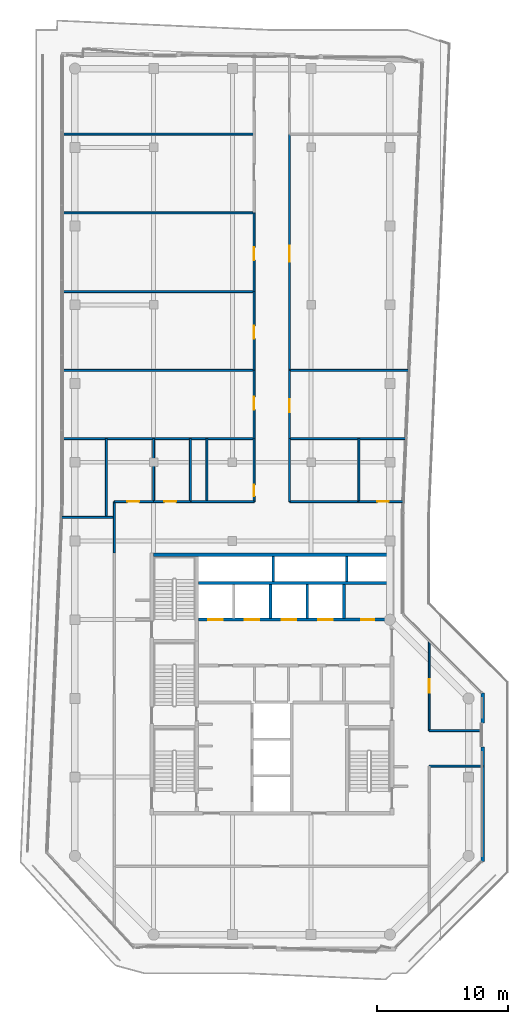
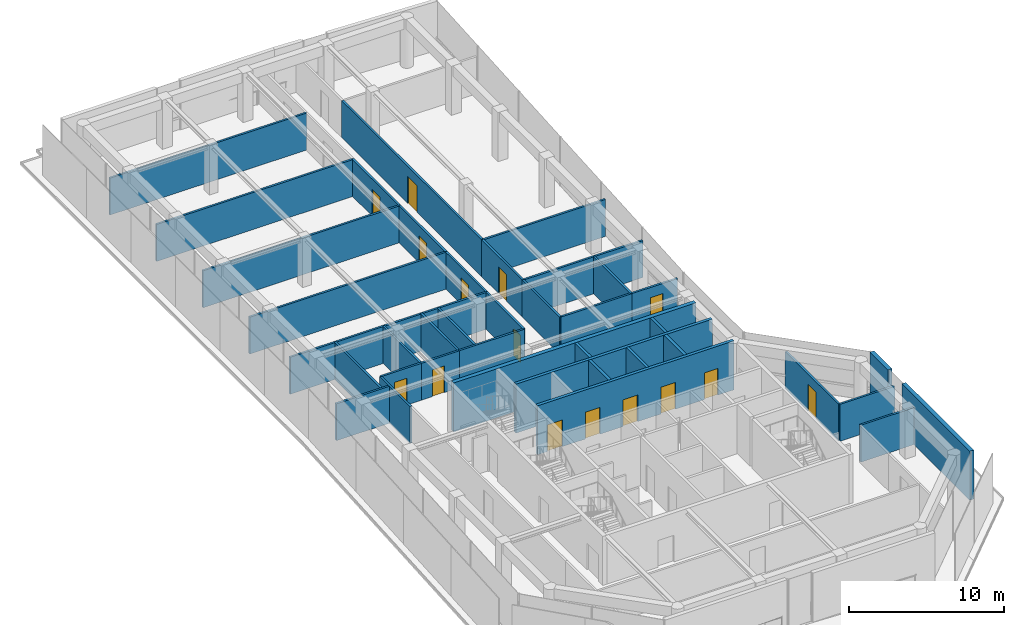
# One storey, part 16 of 19: 39 walls, 15 doors, 15 openings.
"""IFC4 building model written with IfcOpenShell, lengths in metres."""

from ifc_helpers import new_model, si_unit, direction, frame, frame_2d, origin, place, context, subcontext, project, spatial, rectangle, extrude, material, layer, layer_set, type_object, element, fill, save


model = new_model("IFC4")

# Units and contexts
model_context = context("Model", 3, precision=1e-05, world=origin(), true_north=direction((0.0, 1.0)))
body_context = subcontext(model_context, "Body", "Model", "MODEL_VIEW")
ifc_project = project(units=[si_unit("LENGTHUNIT", "METRE"), si_unit("AREAUNIT", "SQUARE_METRE"), si_unit("VOLUMEUNIT", "CUBIC_METRE"), si_unit("PLANEANGLEUNIT", "RADIAN"), si_unit("MASSUNIT", "GRAM", prefix="KILO")], contexts=[model_context])

# Site, building, storey
site_placement = place(None, origin())
site = spatial("IfcSite", under=ifc_project, at=site_placement, CompositionType="ELEMENT")
building_placement = place(site_placement, origin())
building = spatial("IfcBuilding", under=site, at=building_placement, Name="Welwitschia Terrace Campus", CompositionType="ELEMENT")
storey_placement = place(building_placement, frame((0.0, 0.0, 276.800048828125)))
storey = spatial("IfcBuildingStorey", under=building, at=storey_placement, Name="L61", CompositionType="ELEMENT", Elevation=276.800048828125)

# Wall, openings, doors
ifc_material_1 = material(Name="Concrete C32/40", Category="concrete")
ifc_layer_1 = layer(ifc_material_1, 0.22509765625)
ifc_layer_set_1 = layer_set([ifc_layer_1], Name="Concrete C32/40")
wall_type_1 = type_object("IfcWallType", Name="Core partition 225 Concrete C32/40", PredefinedType="PARTITIONING", material=ifc_layer_set_1)
wall_1_placement = place(storey_placement, frame((24.0, 20.0, 0.0), z_axis=(0.0, 0.0, 1.0), x_axis=(-1.0, 0.0, 0.0)))
wall_1 = element("IfcWall", 1, at=wall_1_placement, inside=storey, type_object=wall_type_1, Name="Shaft wall", PredefinedType="PARTITIONING", context=body_context, shape_type="SweptSolid", body=[
    extrude(rectangle(XDim=14.60009765625, YDim=0.22509765625, at=frame_2d((7.300048828125, 0.0))), origin(), (0.0, 0.0, 1.0), 3.849853515625),
])
opening_1_placement = place(wall_1_placement, frame((12.75, 0.0, 0.0)))
opening_1 = element("IfcOpeningElement", 2, at=opening_1_placement, cuts=wall_1, Name="Opening LD", PredefinedType="OPENING", context=body_context, shape_type="SweptSolid", body=[
    extrude(rectangle(XDim=1.10009765625, YDim=2.10009765625, at=frame_2d((0.550048828125, 1.050048828125))), frame((0.0, 0.12255859375, 0.0), z_axis=(0.0, -1.0, 0.0), x_axis=(1.0, 0.0, 0.0)), (0.0, 0.0, 1.0), 0.2451171875),
])
opening_2_placement = place(wall_1_placement, frame((9.949951171875, 0.0, 0.0)))
opening_2 = element("IfcOpeningElement", 3, at=opening_2_placement, cuts=wall_1, Name="Opening LD", PredefinedType="OPENING", context=body_context, shape_type="SweptSolid", body=[
    extrude(rectangle(XDim=1.10009765625, YDim=2.10009765625, at=frame_2d((0.550048828125, 1.050048828125))), frame((0.0, 0.12255859375, 0.0), z_axis=(0.0, -1.0, 0.0), x_axis=(1.0, 0.0, 0.0)), (0.0, 0.0, 1.0), 0.2451171875),
])
opening_3_placement = place(wall_1_placement, frame((7.14990234375, 0.0, 0.0)))
opening_3 = element("IfcOpeningElement", 4, at=opening_3_placement, cuts=wall_1, Name="Opening LD", PredefinedType="OPENING", context=body_context, shape_type="SweptSolid", body=[
    extrude(rectangle(XDim=1.10009765625, YDim=2.10009765625, at=frame_2d((0.550048828125, 1.050048828125))), frame((0.0, 0.12255859375, 0.0), z_axis=(0.0, -1.0, 0.0), x_axis=(1.0, 0.0, 0.0)), (0.0, 0.0, 1.0), 0.2451171875),
])
opening_4_placement = place(wall_1_placement, frame((4.35009765625, 0.0, 0.0)))
opening_4 = element("IfcOpeningElement", 5, at=opening_4_placement, cuts=wall_1, Name="Opening LD", PredefinedType="OPENING", context=body_context, shape_type="SweptSolid", body=[
    extrude(rectangle(XDim=1.10009765625, YDim=2.10009765625, at=frame_2d((0.550048828125, 1.050048828125))), frame((0.0, 0.12255859375, 0.0), z_axis=(0.0, -1.0, 0.0), x_axis=(1.0, 0.0, 0.0)), (0.0, 0.0, 1.0), 0.2451171875),
])
opening_5_placement = place(wall_1_placement, frame((1.199951171875, 0.0, 0.0)))
opening_5 = element("IfcOpeningElement", 6, at=opening_5_placement, cuts=wall_1, Name="Opening DR10", PredefinedType="OPENING", context=body_context, shape_type="SweptSolid", body=[
    extrude(rectangle(XDim=1.0, YDim=2.10009765625, at=frame_2d((0.5, 1.050048828125))), frame((0.0, 0.12255859375, 0.0), z_axis=(0.0, -1.0, 0.0), x_axis=(1.0, 0.0, 0.0)), (0.0, 0.0, 1.0), 0.2451171875),
])
ifc_material_2 = material(Name="Steel S275", Category="steel")
door_type_1 = type_object("IfcDoorType", Name="Core door DR10", OperationType="SINGLE_SWING_LEFT", PredefinedType="DOOR", material=ifc_material_2)
door_1_placement = place(opening_5_placement, origin())
door_1 = element("IfcDoor", 7, at=door_1_placement, inside=storey, type_object=door_type_1, Name="Door EH-D", OperationType="SINGLE_SWING_LEFT", OverallHeight=2.10009765625, OverallWidth=1.0, PredefinedType="DOOR", context=body_context, shape_type="SweptSolid", body=[
    extrude(rectangle(XDim=1.0, YDim=2.10009765625, at=frame_2d((0.5, 1.050048828125))), frame((0.0, 0.02490234375, 0.0), z_axis=(0.0, -1.0, 0.0), x_axis=(1.0, 0.0, 0.0)), (0.0, 0.0, 1.0), 0.050048828125),
])
fill(opening_5, door_1)
ifc_material_3 = material(Name="Stainless steel 304", Category="steel")
door_type_2 = type_object("IfcDoorType", Name="Lift landing door", OperationType="DOUBLE_DOOR_SLIDING", PredefinedType="DOOR", material=ifc_material_3)
door_2_placement = place(opening_1_placement, origin())
door_2 = element("IfcDoor", 8, at=door_2_placement, inside=storey, type_object=door_type_2, Name="Landing door HR1", OperationType="DOUBLE_DOOR_SLIDING", OverallHeight=2.10009765625, OverallWidth=1.10009765625, PredefinedType="DOOR", context=body_context, shape_type="SweptSolid", body=[
    extrude(rectangle(XDim=1.10009765625, YDim=2.10009765625, at=frame_2d((0.550048828125, 1.050048828125))), frame((0.0, 0.02490234375, 0.0), z_axis=(0.0, -1.0, 0.0), x_axis=(1.0, 0.0, 0.0)), (0.0, 0.0, 1.0), 0.050048828125),
])
fill(opening_1, door_2)
door_3_placement = place(opening_2_placement, origin())
door_3 = element("IfcDoor", 9, at=door_3_placement, inside=storey, type_object=door_type_2, Name="Landing door HR2", OperationType="DOUBLE_DOOR_SLIDING", OverallHeight=2.10009765625, OverallWidth=1.10009765625, PredefinedType="DOOR", context=body_context, shape_type="SweptSolid", body=[
    extrude(rectangle(XDim=1.10009765625, YDim=2.10009765625, at=frame_2d((0.550048828125, 1.050048828125))), frame((0.0, 0.02490234375, 0.0), z_axis=(0.0, -1.0, 0.0), x_axis=(1.0, 0.0, 0.0)), (0.0, 0.0, 1.0), 0.050048828125),
])
fill(opening_2, door_3)
door_4_placement = place(opening_3_placement, origin())
door_4 = element("IfcDoor", 10, at=door_4_placement, inside=storey, type_object=door_type_2, Name="Landing door HR3", OperationType="DOUBLE_DOOR_SLIDING", OverallHeight=2.10009765625, OverallWidth=1.10009765625, PredefinedType="DOOR", context=body_context, shape_type="SweptSolid", body=[
    extrude(rectangle(XDim=1.10009765625, YDim=2.10009765625, at=frame_2d((0.550048828125, 1.050048828125))), frame((0.0, 0.02490234375, 0.0), z_axis=(0.0, -1.0, 0.0), x_axis=(1.0, 0.0, 0.0)), (0.0, 0.0, 1.0), 0.050048828125),
])
fill(opening_3, door_4)
door_5_placement = place(opening_4_placement, origin())
door_5 = element("IfcDoor", 11, at=door_5_placement, inside=storey, type_object=door_type_2, Name="Landing door HR4", OperationType="DOUBLE_DOOR_SLIDING", OverallHeight=2.10009765625, OverallWidth=1.10009765625, PredefinedType="DOOR", context=body_context, shape_type="SweptSolid", body=[
    extrude(rectangle(XDim=1.10009765625, YDim=2.10009765625, at=frame_2d((0.550048828125, 1.050048828125))), frame((0.0, 0.02490234375, 0.0), z_axis=(0.0, -1.0, 0.0), x_axis=(1.0, 0.0, 0.0)), (0.0, 0.0, 1.0), 0.050048828125),
])
fill(opening_4, door_5)

# Walls
wall_2_placement = place(storey_placement, frame((9.39990234375, 22.800048828125, 0.0), z_axis=(0.0, 0.0, 1.0), x_axis=(1.0, 0.0, 0.0)))
element("IfcWall", 12, at=wall_2_placement, inside=storey, type_object=wall_type_1, Name="Shaft wall", PredefinedType="PARTITIONING", context=body_context, shape_type="SweptSolid", body=[
    extrude(rectangle(XDim=14.60009765625, YDim=0.22509765625, at=frame_2d((7.300048828125, 0.0))), origin(), (0.0, 0.0, 1.0), 3.849853515625),
])
wall_3_placement = place(storey_placement, frame((20.5, 20.10009765625, 0.0), z_axis=(0.0, 0.0, 1.0), x_axis=(0.0, 1.0, 0.0)))
element("IfcWall", 13, at=wall_3_placement, inside=storey, type_object=wall_type_1, Name="Shaft wall", PredefinedType="PARTITIONING", context=body_context, shape_type="SweptSolid", body=[
    extrude(rectangle(XDim=2.599853515625, YDim=0.22509765625, at=frame_2d((1.2998046875, 0.0))), origin(), (0.0, 0.0, 1.0), 3.849853515625),
])
ifc_material_4 = material(Name="Concrete C50/60", Category="concrete")
ifc_layer_2 = layer(ifc_material_4, 0.199951171875)
ifc_layer_set_2 = layer_set([ifc_layer_2], Name="Concrete C50/60")
wall_type_2 = type_object("IfcWallType", Name="Core wall 200 Concrete C50/60", PredefinedType="SHEAR", material=ifc_layer_set_2)
for number, where, z_axis, x_axis, name in (
    (14, (15.10009765625, 22.89990234375, 0.0), (0.0, 0.0, 1.0), (0.0, 1.0, 0.0), "Core wall"),
    (15, (20.699951171875, 22.89990234375, 0.0), (0.0, 0.0, 1.0), (0.0, 1.0, 0.0), "Core wall"),
):
    element("IfcWall", number, at=place(storey_placement, frame(where, z_axis=z_axis, x_axis=x_axis)), inside=storey, type_object=wall_type_2, Name=name, PredefinedType="SHEAR", context=body_context, shape_type="SweptSolid", body=[
        extrude(rectangle(XDim=1.900146484375, YDim=0.199951171875, at=frame_2d((0.9501953125, 0.0))), origin(), (0.0, 0.0, 1.0), 3.849853515625),
    ])
ifc_material_5 = material(Name="Concrete C50/60", Category="concrete")
ifc_layer_3 = layer(ifc_material_5, 0.300048828125)
ifc_layer_set_3 = layer_set([ifc_layer_3], Name="Concrete C50/60")
wall_type_3 = type_object("IfcWallType", Name="Core wall 300 Concrete C50/60", PredefinedType="SHEAR", material=ifc_layer_set_3)
wall_4_placement = place(storey_placement, frame((6.0, 24.949951171875, 0.0), z_axis=(0.0, 0.0, 1.0), x_axis=(1.0, 0.0, 0.0)))
element("IfcWall", 16, at=wall_4_placement, inside=storey, type_object=wall_type_3, Name="Core outer wall", PredefinedType="SHEAR", context=body_context, shape_type="SweptSolid", body=[
    extrude(rectangle(XDim=18.0, YDim=0.300048828125, at=frame_2d((9.0, 0.0))), origin(), (0.0, 0.0, 1.0), 3.849853515625),
])
ifc_material_6 = material(Name="Gypsum board on steel studs", Category="steel")
ifc_layer_4 = layer(ifc_material_6, 0.14990234375)
ifc_layer_set_4 = layer_set([ifc_layer_4], Name="Gypsum board on steel studs")
wall_type_4 = type_object("IfcWallType", Name="Corridor partition 150 EI 30", PredefinedType="PARTITIONING", material=ifc_layer_set_4)
wall_5_placement = place(storey_placement, frame((-1.02001953125, 27.800048828125, 0.0), z_axis=(0.0, 0.0, 1.0), x_axis=(1.0, 0.0, 0.0)))
element("IfcWall", 17, at=wall_5_placement, inside=storey, type_object=wall_type_4, Name="Partition", PredefinedType="PARTITIONING", context=body_context, shape_type="SweptSolid", body=[
    extrude(rectangle(XDim=4.02001953125, YDim=0.14990234375, at=frame_2d((2.010009765625, 0.0))), origin(), (0.0, 0.0, 1.0), 2.89990234375),
])
for number, where, z_axis, x_axis, name in (
    (18, (-0.97998046875, 33.800048828125, 0.0), (0.0, 0.0, 1.0), (1.0, 0.0, 0.0), "Partition"),
    (19, (-0.97998046875, 39.0, 0.0), (0.0, 0.0, 1.0), (1.0, 0.0, 0.0), "Partition"),
    (20, (-0.97998046875, 45.0, 0.0), (0.0, 0.0, 1.0), (1.0, 0.0, 0.0), "Partition"),
    (21, (-0.97998046875, 51.0, 0.0), (0.0, 0.0, 1.0), (1.0, 0.0, 0.0), "Partition"),
    (22, (-0.97998046875, 57.0, 0.0), (0.0, 0.0, 1.0), (1.0, 0.0, 0.0), "Partition"),
):
    element("IfcWall", number, at=place(storey_placement, frame(where, z_axis=z_axis, x_axis=x_axis)), inside=storey, type_object=wall_type_4, Name=name, PredefinedType="PARTITIONING", context=body_context, shape_type="SweptSolid", body=[
        extrude(rectangle(XDim=14.6298828125, YDim=0.14990234375, at=frame_2d((7.31494140625, 0.0))), origin(), (0.0, 0.0, 1.0), 2.89990234375),
    ])
wall_6_placement = place(storey_placement, frame((2.39990234375, 27.800048828125, 0.0), z_axis=(0.0, 0.0, 1.0), x_axis=(0.0, 1.0, 0.0)))
element("IfcWall", 23, at=wall_6_placement, inside=storey, type_object=wall_type_4, Name="Partition", PredefinedType="PARTITIONING", context=body_context, shape_type="SweptSolid", body=[
    extrude(rectangle(XDim=6.0, YDim=0.14990234375, at=frame_2d((3.0, 0.0))), origin(), (0.0, 0.0, 1.0), 2.89990234375),
])
wall_7_placement = place(storey_placement, frame((3.0, 25.10009765625, 0.0), z_axis=(0.0, 0.0, 1.0), x_axis=(0.0, 1.0, 0.0)))
element("IfcWall", 24, at=wall_7_placement, inside=storey, type_object=wall_type_4, Name="Partition", PredefinedType="PARTITIONING", context=body_context, shape_type="SweptSolid", body=[
    extrude(rectangle(XDim=3.89990234375, YDim=0.14990234375, at=frame_2d((1.949951171875, 0.0))), origin(), (0.0, 0.0, 1.0), 2.89990234375),
])

# Wall, opening, door
wall_8_placement = place(storey_placement, frame((3.0, 29.0, 0.0), z_axis=(0.0, 0.0, 1.0), x_axis=(1.0, 0.0, 0.0)))
wall_8 = element("IfcWall", 25, at=wall_8_placement, inside=storey, type_object=wall_type_4, Name="Partition", PredefinedType="PARTITIONING", context=body_context, shape_type="SweptSolid", body=[
    extrude(rectangle(XDim=3.0, YDim=0.14990234375, at=frame_2d((1.5, 0.0))), origin(), (0.0, 0.0, 1.0), 2.89990234375),
])
opening_6_placement = place(wall_8_placement, frame((1.0, 0.0, 0.0)))
opening_6 = element("IfcOpeningElement", 26, at=opening_6_placement, cuts=wall_8, Name="Opening DI09", PredefinedType="OPENING", context=body_context, shape_type="SweptSolid", body=[
    extrude(rectangle(XDim=0.89990234375, YDim=2.10009765625, at=frame_2d((0.449951171875, 1.050048828125))), frame((0.0, 0.0849609375, 0.0), z_axis=(0.0, -1.0, 0.0), x_axis=(1.0, 0.0, 0.0)), (0.0, 0.0, 1.0), 0.169921875),
])
ifc_material_7 = material(Name="Timber veneered door", Category="wood")
door_type_3 = type_object("IfcDoorType", Name="Interior door DI09", OperationType="NOTDEFINED", PredefinedType="DOOR", material=ifc_material_7)
door_6_placement = place(opening_6_placement, origin())
door_6 = element("IfcDoor", 27, at=door_6_placement, inside=storey, type_object=door_type_3, Name="Door L61 1089", OperationType="SINGLE_SWING_RIGHT", OverallHeight=2.10009765625, OverallWidth=0.89990234375, PredefinedType="DOOR", context=body_context, shape_type="SweptSolid", body=[
    extrude(rectangle(XDim=0.89990234375, YDim=2.10009765625, at=frame_2d((0.449951171875, 1.050048828125))), frame((0.0, 0.02490234375, 0.0), z_axis=(0.0, -1.0, 0.0), x_axis=(1.0, 0.0, 0.0)), (0.0, 0.0, 1.0), 0.050048828125),
])
fill(opening_6, door_6)

# Wall
wall_9_placement = place(storey_placement, frame((6.0, 29.0, 0.0), z_axis=(0.0, 0.0, 1.0), x_axis=(0.0, 1.0, 0.0)))
element("IfcWall", 28, at=wall_9_placement, inside=storey, type_object=wall_type_4, Name="Partition", PredefinedType="PARTITIONING", context=body_context, shape_type="SweptSolid", body=[
    extrude(rectangle(XDim=4.800048828125, YDim=0.14990234375, at=frame_2d((2.39990234375, 0.0))), origin(), (0.0, 0.0, 1.0), 2.89990234375),
])

# Wall, opening, door
wall_10_placement = place(storey_placement, frame((6.0, 29.0, 0.0), z_axis=(0.0, 0.0, 1.0), x_axis=(1.0, 0.0, 0.0)))
wall_10 = element("IfcWall", 29, at=wall_10_placement, inside=storey, type_object=wall_type_4, Name="Partition", PredefinedType="PARTITIONING", context=body_context, shape_type="SweptSolid", body=[
    extrude(rectangle(XDim=2.800048828125, YDim=0.14990234375, at=frame_2d((1.39990234375, 0.0))), origin(), (0.0, 0.0, 1.0), 2.89990234375),
])
opening_7_placement = place(wall_10_placement, frame((0.800048828125, 0.0, 0.0)))
opening_7 = element("IfcOpeningElement", 30, at=opening_7_placement, cuts=wall_10, Name="Opening DI09", PredefinedType="OPENING", context=body_context, shape_type="SweptSolid", body=[
    extrude(rectangle(XDim=0.89990234375, YDim=2.10009765625, at=frame_2d((0.449951171875, 1.050048828125))), frame((0.0, 0.0849609375, 0.0), z_axis=(0.0, -1.0, 0.0), x_axis=(1.0, 0.0, 0.0)), (0.0, 0.0, 1.0), 0.169921875),
])
door_7_placement = place(opening_7_placement, origin())
door_7 = element("IfcDoor", 31, at=door_7_placement, inside=storey, type_object=door_type_3, Name="Door L61 1090", OperationType="SINGLE_SWING_LEFT", OverallHeight=2.10009765625, OverallWidth=0.89990234375, PredefinedType="DOOR", context=body_context, shape_type="SweptSolid", body=[
    extrude(rectangle(XDim=0.89990234375, YDim=2.10009765625, at=frame_2d((0.449951171875, 1.050048828125))), frame((0.0, 0.02490234375, 0.0), z_axis=(0.0, -1.0, 0.0), x_axis=(1.0, 0.0, 0.0)), (0.0, 0.0, 1.0), 0.050048828125),
])
fill(opening_7, door_7)

# Walls
wall_11_placement = place(storey_placement, frame((8.800048828125, 29.0, 0.0), z_axis=(0.0, 0.0, 1.0), x_axis=(0.0, 1.0, 0.0)))
element("IfcWall", 32, at=wall_11_placement, inside=storey, type_object=wall_type_4, Name="Partition", PredefinedType="PARTITIONING", context=body_context, shape_type="SweptSolid", body=[
    extrude(rectangle(XDim=4.800048828125, YDim=0.14990234375, at=frame_2d((2.39990234375, 0.0))), origin(), (0.0, 0.0, 1.0), 2.89990234375),
])
wall_12_placement = place(storey_placement, frame((8.800048828125, 29.0, 0.0), z_axis=(0.0, 0.0, 1.0), x_axis=(1.0, 0.0, 0.0)))
element("IfcWall", 33, at=wall_12_placement, inside=storey, type_object=wall_type_4, Name="Partition", PredefinedType="PARTITIONING", context=body_context, shape_type="SweptSolid", body=[
    extrude(rectangle(XDim=4.849853515625, YDim=0.14990234375, at=frame_2d((2.4248046875, 0.0))), origin(), (0.0, 0.0, 1.0), 2.89990234375),
])
wall_13_placement = place(storey_placement, frame((10.050048828125, 29.0, 0.0), z_axis=(0.0, 0.0, 1.0), x_axis=(0.0, 1.0, 0.0)))
element("IfcWall", 34, at=wall_13_placement, inside=storey, type_object=wall_type_4, Name="Partition", PredefinedType="PARTITIONING", context=body_context, shape_type="SweptSolid", body=[
    extrude(rectangle(XDim=4.800048828125, YDim=0.14990234375, at=frame_2d((2.39990234375, 0.0))), origin(), (0.0, 0.0, 1.0), 2.89990234375),
])

# Wall, opening, door
wall_14_placement = place(storey_placement, frame((13.64990234375, 29.0, 0.0), z_axis=(0.0, 0.0, 1.0), x_axis=(0.0, 1.0, 0.0)))
wall_14 = element("IfcWall", 35, at=wall_14_placement, inside=storey, type_object=wall_type_4, Name="Partition", PredefinedType="PARTITIONING", context=body_context, shape_type="SweptSolid", body=[
    extrude(rectangle(XDim=4.800048828125, YDim=0.14990234375, at=frame_2d((2.39990234375, 0.0))), origin(), (0.0, 0.0, 1.0), 2.89990234375),
])
opening_8_placement = place(wall_14_placement, frame((0.39990234375, 0.0, 0.0)))
opening_8 = element("IfcOpeningElement", 36, at=opening_8_placement, cuts=wall_14, Name="Opening DI09", PredefinedType="OPENING", context=body_context, shape_type="SweptSolid", body=[
    extrude(rectangle(XDim=0.89990234375, YDim=2.10009765625, at=frame_2d((0.449951171875, 1.050048828125))), frame((0.0, 0.0849609375, 0.0), z_axis=(0.0, -1.0, 0.0), x_axis=(1.0, 0.0, 0.0)), (0.0, 0.0, 1.0), 0.169921875),
])
door_8_placement = place(opening_8_placement, origin())
door_8 = element("IfcDoor", 37, at=door_8_placement, inside=storey, type_object=door_type_3, Name="Door L61 1091", OperationType="SINGLE_SWING_RIGHT", OverallHeight=2.10009765625, OverallWidth=0.89990234375, PredefinedType="DOOR", context=body_context, shape_type="SweptSolid", body=[
    extrude(rectangle(XDim=0.89990234375, YDim=2.10009765625, at=frame_2d((0.449951171875, 1.050048828125))), frame((0.0, 0.02490234375, 0.0), z_axis=(0.0, -1.0, 0.0), x_axis=(1.0, 0.0, 0.0)), (0.0, 0.0, 1.0), 0.050048828125),
])
fill(opening_8, door_8)

wall_15_placement = place(storey_placement, frame((13.64990234375, 33.800048828125, 0.0), z_axis=(0.0, 0.0, 1.0), x_axis=(0.0, 1.0, 0.0)))
wall_15 = element("IfcWall", 38, at=wall_15_placement, inside=storey, type_object=wall_type_4, Name="Partition", PredefinedType="PARTITIONING", context=body_context, shape_type="SweptSolid", body=[
    extrude(rectangle(XDim=5.199951171875, YDim=0.14990234375, at=frame_2d((2.60009765625, 0.0))), origin(), (0.0, 0.0, 1.0), 2.89990234375),
])
opening_9_placement = place(wall_15_placement, frame((2.199951171875, 0.0, 0.0)))
opening_9 = element("IfcOpeningElement", 39, at=opening_9_placement, cuts=wall_15, Name="Opening DI10", PredefinedType="OPENING", context=body_context, shape_type="SweptSolid", body=[
    extrude(rectangle(XDim=1.0, YDim=2.10009765625, at=frame_2d((0.5, 1.050048828125))), frame((0.0, 0.0849609375, 0.0), z_axis=(0.0, -1.0, 0.0), x_axis=(1.0, 0.0, 0.0)), (0.0, 0.0, 1.0), 0.169921875),
])
ifc_material_8 = material(Name="Timber veneered door", Category="wood")
door_type_4 = type_object("IfcDoorType", Name="Interior door DI10", OperationType="NOTDEFINED", PredefinedType="DOOR", material=ifc_material_8)
door_9_placement = place(opening_9_placement, origin())
door_9 = element("IfcDoor", 40, at=door_9_placement, inside=storey, type_object=door_type_4, Name="Door L61 1092", OperationType="SINGLE_SWING_LEFT", OverallHeight=2.10009765625, OverallWidth=1.0, PredefinedType="DOOR", context=body_context, shape_type="SweptSolid", body=[
    extrude(rectangle(XDim=1.0, YDim=2.10009765625, at=frame_2d((0.5, 1.050048828125))), frame((0.0, 0.02490234375, 0.0), z_axis=(0.0, -1.0, 0.0), x_axis=(1.0, 0.0, 0.0)), (0.0, 0.0, 1.0), 0.050048828125),
])
fill(opening_9, door_9)

wall_16_placement = place(storey_placement, frame((13.64990234375, 39.0, 0.0), z_axis=(0.0, 0.0, 1.0), x_axis=(0.0, 1.0, 0.0)))
wall_16 = element("IfcWall", 41, at=wall_16_placement, inside=storey, type_object=wall_type_4, Name="Partition", PredefinedType="PARTITIONING", context=body_context, shape_type="SweptSolid", body=[
    extrude(rectangle(XDim=6.0, YDim=0.14990234375, at=frame_2d((3.0, 0.0))), origin(), (0.0, 0.0, 1.0), 2.89990234375),
])
opening_10_placement = place(wall_16_placement, frame((2.39990234375, 0.0, 0.0)))
opening_10 = element("IfcOpeningElement", 42, at=opening_10_placement, cuts=wall_16, Name="Opening DI10", PredefinedType="OPENING", context=body_context, shape_type="SweptSolid", body=[
    extrude(rectangle(XDim=1.0, YDim=2.10009765625, at=frame_2d((0.5, 1.050048828125))), frame((0.0, 0.0849609375, 0.0), z_axis=(0.0, -1.0, 0.0), x_axis=(1.0, 0.0, 0.0)), (0.0, 0.0, 1.0), 0.169921875),
])
door_10_placement = place(opening_10_placement, origin())
door_10 = element("IfcDoor", 43, at=door_10_placement, inside=storey, type_object=door_type_4, Name="Door L61 1093", OperationType="SINGLE_SWING_RIGHT", OverallHeight=2.10009765625, OverallWidth=1.0, PredefinedType="DOOR", context=body_context, shape_type="SweptSolid", body=[
    extrude(rectangle(XDim=1.0, YDim=2.10009765625, at=frame_2d((0.5, 1.050048828125))), frame((0.0, 0.02490234375, 0.0), z_axis=(0.0, -1.0, 0.0), x_axis=(1.0, 0.0, 0.0)), (0.0, 0.0, 1.0), 0.050048828125),
])
fill(opening_10, door_10)

wall_17_placement = place(storey_placement, frame((13.64990234375, 45.0, 0.0), z_axis=(0.0, 0.0, 1.0), x_axis=(0.0, 1.0, 0.0)))
wall_17 = element("IfcWall", 44, at=wall_17_placement, inside=storey, type_object=wall_type_4, Name="Partition", PredefinedType="PARTITIONING", context=body_context, shape_type="SweptSolid", body=[
    extrude(rectangle(XDim=6.0, YDim=0.14990234375, at=frame_2d((3.0, 0.0))), origin(), (0.0, 0.0, 1.0), 2.89990234375),
])
opening_11_placement = place(wall_17_placement, frame((2.39990234375, 0.0, 0.0)))
opening_11 = element("IfcOpeningElement", 45, at=opening_11_placement, cuts=wall_17, Name="Opening DI10", PredefinedType="OPENING", context=body_context, shape_type="SweptSolid", body=[
    extrude(rectangle(XDim=1.0, YDim=2.10009765625, at=frame_2d((0.5, 1.050048828125))), frame((0.0, 0.0849609375, 0.0), z_axis=(0.0, -1.0, 0.0), x_axis=(1.0, 0.0, 0.0)), (0.0, 0.0, 1.0), 0.169921875),
])
door_11_placement = place(opening_11_placement, origin())
door_11 = element("IfcDoor", 46, at=door_11_placement, inside=storey, type_object=door_type_4, Name="Door L61 1094", OperationType="SINGLE_SWING_LEFT", OverallHeight=2.10009765625, OverallWidth=1.0, PredefinedType="DOOR", context=body_context, shape_type="SweptSolid", body=[
    extrude(rectangle(XDim=1.0, YDim=2.10009765625, at=frame_2d((0.5, 1.050048828125))), frame((0.0, 0.02490234375, 0.0), z_axis=(0.0, -1.0, 0.0), x_axis=(1.0, 0.0, 0.0)), (0.0, 0.0, 1.0), 0.050048828125),
])
fill(opening_11, door_11)

# Walls
wall_18_placement = place(storey_placement, frame((16.35009765625, 29.0, 0.0), z_axis=(0.0, 0.0, 1.0), x_axis=(0.0, 1.0, 0.0)))
element("IfcWall", 47, at=wall_18_placement, inside=storey, type_object=wall_type_4, Name="Partition", PredefinedType="PARTITIONING", context=body_context, shape_type="SweptSolid", body=[
    extrude(rectangle(XDim=4.800048828125, YDim=0.14990234375, at=frame_2d((2.39990234375, 0.0))), origin(), (0.0, 0.0, 1.0), 2.89990234375),
])
wall_19_placement = place(storey_placement, frame((16.35009765625, 29.0, 0.0), z_axis=(0.0, 0.0, 1.0), x_axis=(1.0, 0.0, 0.0)))
element("IfcWall", 48, at=wall_19_placement, inside=storey, type_object=wall_type_4, Name="Partition", PredefinedType="PARTITIONING", context=body_context, shape_type="SweptSolid", body=[
    extrude(rectangle(XDim=5.27978515625, YDim=0.14990234375, at=frame_2d((2.639892578125, 0.0))), origin(), (0.0, 0.0, 1.0), 2.89990234375),
])
wall_20_placement = place(storey_placement, frame((16.35009765625, 33.800048828125, 0.0), z_axis=(0.0, 0.0, 1.0), x_axis=(1.0, 0.0, 0.0)))
element("IfcWall", 49, at=wall_20_placement, inside=storey, type_object=wall_type_4, Name="Partition", PredefinedType="PARTITIONING", context=body_context, shape_type="SweptSolid", body=[
    extrude(rectangle(XDim=8.864990234375, YDim=0.14990234375, at=frame_2d((4.4326171875, 0.0))), origin(), (0.0, 0.0, 1.0), 2.89990234375),
])

# Wall, opening, door
wall_21_placement = place(storey_placement, frame((16.35009765625, 39.0, 0.0), z_axis=(0.0, 0.0, 1.0), x_axis=(0.0, -1.0, 0.0)))
wall_21 = element("IfcWall", 50, at=wall_21_placement, inside=storey, type_object=wall_type_4, Name="Partition", PredefinedType="PARTITIONING", context=body_context, shape_type="SweptSolid", body=[
    extrude(rectangle(XDim=5.199951171875, YDim=0.14990234375, at=frame_2d((2.60009765625, 0.0))), origin(), (0.0, 0.0, 1.0), 2.89990234375),
])
opening_12_placement = place(wall_21_placement, frame((2.199951171875, 0.0, 0.0)))
opening_12 = element("IfcOpeningElement", 51, at=opening_12_placement, cuts=wall_21, Name="Opening DI10", PredefinedType="OPENING", context=body_context, shape_type="SweptSolid", body=[
    extrude(rectangle(XDim=1.0, YDim=2.10009765625, at=frame_2d((0.5, 1.050048828125))), frame((0.0, 0.0849609375, 0.0), z_axis=(0.0, -1.0, 0.0), x_axis=(1.0, 0.0, 0.0)), (0.0, 0.0, 1.0), 0.169921875),
])
door_12_placement = place(opening_12_placement, origin())
door_12 = element("IfcDoor", 52, at=door_12_placement, inside=storey, type_object=door_type_4, Name="Door L61 1097", OperationType="SINGLE_SWING_RIGHT", OverallHeight=2.10009765625, OverallWidth=1.0, PredefinedType="DOOR", context=body_context, shape_type="SweptSolid", body=[
    extrude(rectangle(XDim=1.0, YDim=2.10009765625, at=frame_2d((0.5, 1.050048828125))), frame((0.0, 0.02490234375, 0.0), z_axis=(0.0, -1.0, 0.0), x_axis=(1.0, 0.0, 0.0)), (0.0, 0.0, 1.0), 0.050048828125),
])
fill(opening_12, door_12)

# Wall
wall_22_placement = place(storey_placement, frame((16.35009765625, 39.0, 0.0), z_axis=(0.0, 0.0, 1.0), x_axis=(1.0, 0.0, 0.0)))
element("IfcWall", 53, at=wall_22_placement, inside=storey, type_object=wall_type_4, Name="Partition", PredefinedType="PARTITIONING", context=body_context, shape_type="SweptSolid", body=[
    extrude(rectangle(XDim=9.099853515625, YDim=0.14990234375, at=frame_2d((4.5498046875, 0.0))), origin(), (0.0, 0.0, 1.0), 2.89990234375),
])

# Wall, opening, door
wall_23_placement = place(storey_placement, frame((16.35009765625, 57.0, 0.0), z_axis=(0.0, 0.0, 1.0), x_axis=(0.0, -1.0, 0.0)))
wall_23 = element("IfcWall", 54, at=wall_23_placement, inside=storey, type_object=wall_type_4, Name="Partition", PredefinedType="PARTITIONING", context=body_context, shape_type="SweptSolid", body=[
    extrude(rectangle(XDim=18.0, YDim=0.14990234375, at=frame_2d((9.0, 0.0))), origin(), (0.0, 0.0, 1.0), 2.89990234375),
])
opening_13_placement = place(wall_23_placement, frame((8.5, 0.0, 0.0)))
opening_13 = element("IfcOpeningElement", 55, at=opening_13_placement, cuts=wall_23, Name="Opening DI12", PredefinedType="OPENING", context=body_context, shape_type="SweptSolid", body=[
    extrude(rectangle(XDim=1.199951171875, YDim=2.10009765625, at=frame_2d((0.60009765625, 1.050048828125))), frame((0.0, 0.0849609375, 0.0), z_axis=(0.0, -1.0, 0.0), x_axis=(1.0, 0.0, 0.0)), (0.0, 0.0, 1.0), 0.169921875),
])
ifc_material_9 = material(Name="Timber veneered door", Category="wood")
door_type_5 = type_object("IfcDoorType", Name="Interior door DI12", OperationType="NOTDEFINED", PredefinedType="DOOR", material=ifc_material_9)
door_13_placement = place(opening_13_placement, origin())
door_13 = element("IfcDoor", 56, at=door_13_placement, inside=storey, type_object=door_type_5, Name="Door L61 1098", OperationType="SINGLE_SWING_LEFT", OverallHeight=2.10009765625, OverallWidth=1.199951171875, PredefinedType="DOOR", context=body_context, shape_type="SweptSolid", body=[
    extrude(rectangle(XDim=1.199951171875, YDim=2.10009765625, at=frame_2d((0.60009765625, 1.050048828125))), frame((0.0, 0.02490234375, 0.0), z_axis=(0.0, -1.0, 0.0), x_axis=(1.0, 0.0, 0.0)), (0.0, 0.0, 1.0), 0.050048828125),
])
fill(opening_13, door_13)

# Wall
wall_24_placement = place(storey_placement, frame((21.6298828125, 29.0, 0.0), z_axis=(0.0, 0.0, 1.0), x_axis=(0.0, 1.0, 0.0)))
element("IfcWall", 57, at=wall_24_placement, inside=storey, type_object=wall_type_4, Name="Partition", PredefinedType="PARTITIONING", context=body_context, shape_type="SweptSolid", body=[
    extrude(rectangle(XDim=4.800048828125, YDim=0.14990234375, at=frame_2d((2.39990234375, 0.0))), origin(), (0.0, 0.0, 1.0), 2.89990234375),
])

# Wall, opening, door
wall_25_placement = place(storey_placement, frame((21.6298828125, 29.0, 0.0), z_axis=(0.0, 0.0, 1.0), x_axis=(1.0, 0.0, 0.0)))
wall_25 = element("IfcWall", 58, at=wall_25_placement, inside=storey, type_object=wall_type_4, Name="Partition", PredefinedType="PARTITIONING", context=body_context, shape_type="SweptSolid", body=[
    extrude(rectangle(XDim=3.39013671875, YDim=0.14990234375, at=frame_2d((1.695068359375, 0.0))), origin(), (0.0, 0.0, 1.0), 2.89990234375),
])
opening_14_placement = place(wall_25_placement, frame((1.389892578125, 0.0, 0.0)))
opening_14 = element("IfcOpeningElement", 59, at=opening_14_placement, cuts=wall_25, Name="Opening DI09", PredefinedType="OPENING", context=body_context, shape_type="SweptSolid", body=[
    extrude(rectangle(XDim=0.89990234375, YDim=2.10009765625, at=frame_2d((0.449951171875, 1.050048828125))), frame((0.0, 0.0849609375, 0.0), z_axis=(0.0, -1.0, 0.0), x_axis=(1.0, 0.0, 0.0)), (0.0, 0.0, 1.0), 0.169921875),
])
door_14_placement = place(opening_14_placement, origin())
door_14 = element("IfcDoor", 60, at=door_14_placement, inside=storey, type_object=door_type_3, Name="Door L61 1100", OperationType="SINGLE_SWING_LEFT", OverallHeight=2.10009765625, OverallWidth=0.89990234375, PredefinedType="DOOR", context=body_context, shape_type="SweptSolid", body=[
    extrude(rectangle(XDim=0.89990234375, YDim=2.10009765625, at=frame_2d((0.449951171875, 1.050048828125))), frame((0.0, 0.02490234375, 0.0), z_axis=(0.0, -1.0, 0.0), x_axis=(1.0, 0.0, 0.0)), (0.0, 0.0, 1.0), 0.050048828125),
])
fill(opening_14, door_14)

# Walls
for number, where, z_axis, x_axis, name in (
    (61, (27.0, 8.85009765625, 0.0), (0.0, 0.0, 1.0), (1.0, 0.0, 0.0), "Partition"),
    (62, (27.0, 11.550048828125, 0.0), (0.0, 0.0, 1.0), (1.0, 0.0, 0.0), "Partition"),
):
    element("IfcWall", number, at=place(storey_placement, frame(where, z_axis=z_axis, x_axis=x_axis)), inside=storey, type_object=wall_type_4, Name=name, PredefinedType="PARTITIONING", context=body_context, shape_type="SweptSolid", body=[
        extrude(rectangle(XDim=4.090087890625, YDim=0.14990234375, at=frame_2d((2.044921875, 0.0))), origin(), (0.0, 0.0, 1.0), 2.89990234375),
    ])

# Wall, opening, door
wall_26_placement = place(storey_placement, frame((27.0, 18.3798828125, 0.0), z_axis=(0.0, 0.0, 1.0), x_axis=(0.0, -1.0, 0.0)))
wall_26 = element("IfcWall", 63, at=wall_26_placement, inside=storey, type_object=wall_type_4, Name="Partition", PredefinedType="PARTITIONING", context=body_context, shape_type="SweptSolid", body=[
    extrude(rectangle(XDim=6.829833984375, YDim=0.14990234375, at=frame_2d((3.4150390625, 0.0))), origin(), (0.0, 0.0, 1.0), 2.89990234375),
])
opening_15_placement = place(wall_26_placement, frame((2.929931640625, 0.0, 0.0)))
opening_15 = element("IfcOpeningElement", 64, at=opening_15_placement, cuts=wall_26, Name="Opening DI10", PredefinedType="OPENING", context=body_context, shape_type="SweptSolid", body=[
    extrude(rectangle(XDim=1.0, YDim=2.10009765625, at=frame_2d((0.5, 1.050048828125))), frame((0.0, 0.0849609375, 0.0), z_axis=(0.0, -1.0, 0.0), x_axis=(1.0, 0.0, 0.0)), (0.0, 0.0, 1.0), 0.169921875),
])
door_15_placement = place(opening_15_placement, origin())
door_15 = element("IfcDoor", 65, at=door_15_placement, inside=storey, type_object=door_type_4, Name="Door L61 1103", OperationType="SINGLE_SWING_RIGHT", OverallHeight=2.10009765625, OverallWidth=1.0, PredefinedType="DOOR", context=body_context, shape_type="SweptSolid", body=[
    extrude(rectangle(XDim=1.0, YDim=2.10009765625, at=frame_2d((0.5, 1.050048828125))), frame((0.0, 0.02490234375, 0.0), z_axis=(0.0, -1.0, 0.0), x_axis=(1.0, 0.0, 0.0)), (0.0, 0.0, 1.0), 0.050048828125),
])
fill(opening_15, door_15)

# Walls
ifc_material_10 = material(Name="Concrete C40/50", Category="concrete")
ifc_layer_5 = layer(ifc_material_10, 0.300048828125)
ifc_layer_set_5 = layer_set([ifc_layer_5], Name="Concrete C40/50")
wall_type_5 = type_object("IfcWallType", Name="Mass wall 300", PredefinedType="SOLIDWALL", material=ifc_layer_set_5)
wall_27_placement = place(storey_placement, frame((31.07958984375, 1.573486328125, 0.0), z_axis=(0.0, 0.0, 1.0), x_axis=(0.0, 1.0, 0.0)))
element("IfcWall", 66, at=wall_27_placement, inside=storey, type_object=wall_type_5, Name="Mass wall L61.4.0", PredefinedType="SOLIDWALL", context=body_context, shape_type="SweptSolid", body=[
    extrude(rectangle(XDim=8.73974609375, YDim=0.300048828125, at=frame_2d((4.369873046875, 0.0))), origin(), (0.0, 0.0, 1.0), 3.849853515625),
])
wall_28_placement = place(storey_placement, frame((31.07958984375, 12.11328125, 0.0), z_axis=(0.0, 0.0, 1.0), x_axis=(0.0, 1.0, 0.0)))
element("IfcWall", 67, at=wall_28_placement, inside=storey, type_object=wall_type_5, Name="Mass wall L61.4.1", PredefinedType="SOLIDWALL", context=body_context, shape_type="SweptSolid", body=[
    extrude(rectangle(XDim=2.313232421875, YDim=0.300048828125, at=frame_2d((1.15673828125, 0.0))), origin(), (0.0, 0.0, 1.0), 3.849853515625),
])
ifc_material_11 = material(Name="Concrete C32/40", Category="concrete")
ifc_layer_6 = layer(ifc_material_11, 0.199951171875)
ifc_layer_set_6 = layer_set([ifc_layer_6], Name="Concrete C32/40")
wall_type_6 = type_object("IfcWallType", Name="Shaft wall 200 Concrete C32/40", PredefinedType="SOLIDWALL", material=ifc_layer_set_6)
for number, where, z_axis, x_axis, name in (
    (68, (14.89990234375, 20.10009765625, 0.0), (0.0, 0.0, 1.0), (0.0, 1.0, 0.0), "Shaft wall"),
    (69, (17.699951171875, 20.10009765625, 0.0), (0.0, 0.0, 1.0), (0.0, 1.0, 0.0), "Shaft wall"),
):
    element("IfcWall", number, at=place(storey_placement, frame(where, z_axis=z_axis, x_axis=x_axis)), inside=storey, type_object=wall_type_6, Name=name, PredefinedType="SOLIDWALL", context=body_context, shape_type="SweptSolid", body=[
        extrude(rectangle(XDim=2.599853515625, YDim=0.199951171875, at=frame_2d((1.2998046875, 0.0))), origin(), (0.0, 0.0, 1.0), 3.849853515625),
    ])

save(model, "model.ifc")
